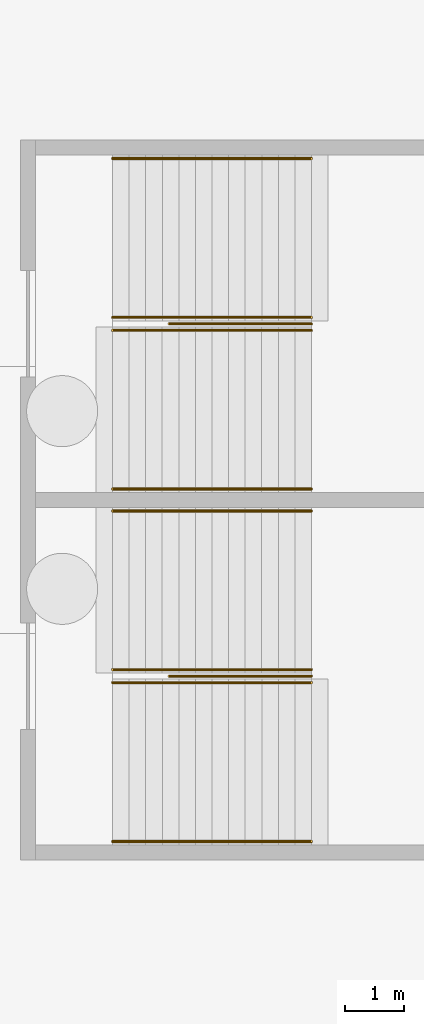
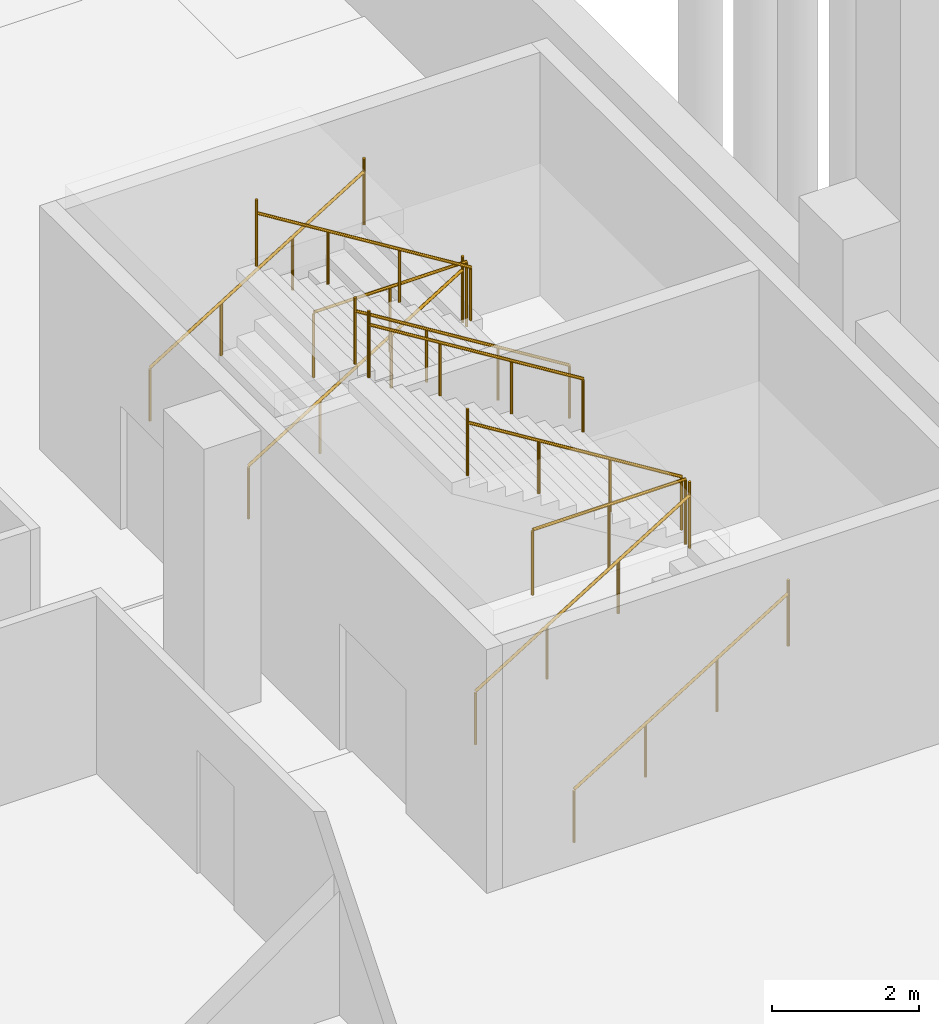
# One storey, part 114 of 115: 10 railings.
"""IFC4 building model written with IfcOpenShell, lengths in metres."""

from ifc_helpers import new_model, si_unit, direction, frame, origin, origin_2d, place, context, subcontext, project, spatial, circle, extrude, material, type_object, element, save


model = new_model("IFC4")

# Units and contexts
model_context = context("Model", 3, precision=1e-05, world=origin(), true_north=direction((0.0, 1.0)))
body_context = subcontext(model_context, "Body", "Model", "MODEL_VIEW")
ifc_project = project(units=[si_unit("LENGTHUNIT", "METRE"), si_unit("AREAUNIT", "SQUARE_METRE"), si_unit("VOLUMEUNIT", "CUBIC_METRE"), si_unit("PLANEANGLEUNIT", "RADIAN"), si_unit("MASSUNIT", "GRAM", prefix="KILO")], contexts=[model_context])

# Site, building, storey
site_placement = place(None, origin())
site = spatial("IfcSite", under=ifc_project, at=site_placement, CompositionType="ELEMENT")
building_placement = place(site_placement, origin())
building = spatial("IfcBuilding", under=site, at=building_placement, Name="Ogive Plaza Stadium", CompositionType="ELEMENT")
storey_placement = place(building_placement, frame((0.0, 0.0, -4.5)))
storey = spatial("IfcBuildingStorey", under=building, at=storey_placement, Name="B1", CompositionType="ELEMENT", Elevation=-4.5)

# Railings
ifc_material_1 = material(Name="Steel ASTM A572 Grade 50", Category="steel")
railing_type_1 = type_object("IfcRailingType", Name="Guard 1100", PredefinedType="GUARDRAIL", material=ifc_material_1)
for number, where, name in (
    (1, (77.31005859375, 34.52490234375, 2.25), "Stair well guard ST02A B1"),
    (2, (77.31005859375, 40.47509765625, 2.25), "Stair well guard ST02B B1"),
):
    element("IfcRailing", number, at=place(storey_placement, frame(where)), inside=storey, type_object=railing_type_1, Name=name, PredefinedType="GUARDRAIL", context=body_context, shape_type="SweptSolid", body=[
        extrude(circle(Radius=0.02392578125, at=origin_2d()), frame((0.0, 0.0, 1.076171875), z_axis=(1.0, 0.0, 0.0), x_axis=(0.0, 1.0, 0.0)), (0.0, 0.0, 1.0), 2.39990234375),
        extrude(circle(Radius=0.02099609375, at=origin_2d()), origin(), (0.0, 0.0, 1.0), 1.052001953125),
        extrude(circle(Radius=0.02099609375, at=origin_2d()), frame((1.199951171875, 0.0, 0.0)), (0.0, 0.0, 1.0), 1.052001953125),
        extrude(circle(Radius=0.02099609375, at=origin_2d()), frame((2.39990234375, 0.0, 0.0)), (0.0, 0.0, 1.0), 1.052001953125),
    ])
ifc_material_2 = material(Name="Steel ASTM A572 Grade 50", Category="steel")
railing_type_2 = type_object("IfcRailingType", Name="Handrail 900", PredefinedType="HANDRAIL", material=ifc_material_2)
for number, where, name in (
    (3, (76.35009765625, 31.735107421875, 0.173095703125), "Handrail ST02A B1"),
    (4, (76.35009765625, 34.4150390625, 0.173095703125), "Handrail ST02A B1"),
):
    element("IfcRailing", number, at=place(storey_placement, frame(where)), inside=storey, type_object=railing_type_2, Name=name, PredefinedType="HANDRAIL", context=body_context, shape_type="SweptSolid", body=[
        extrude(circle(Radius=0.02392578125, at=origin_2d()), frame((0.0, 0.0, 0.8759765625), z_axis=(0.850606129759, 0.0, 0.525803396734), x_axis=(0.0, 1.0, 0.0)), (0.0, 0.0, 1.0), 3.949951171875),
        extrude(circle(Radius=0.02099609375, at=origin_2d()), origin(), (0.0, 0.0, 1.0), 0.851806640625),
        extrude(circle(Radius=0.02099609375, at=origin_2d()), frame((1.119873046875, 0.0, 0.6923828125)), (0.0, 0.0, 1.0), 0.851806640625),
        extrude(circle(Radius=0.02099609375, at=origin_2d()), frame((2.239990234375, 0.0, 1.384521484375)), (0.0, 0.0, 1.0), 0.851806640625),
        extrude(circle(Radius=0.02099609375, at=origin_2d()), frame((3.35986328125, 0.0, 2.076904296875)), (0.0, 0.0, 1.0), 1.10009765625),
    ])
for number, where, name in (
    (5, (79.7099609375, 34.635009765625, 2.423095703125), "Handrail ST02A B1"),
    (6, (79.7099609375, 37.31494140625, 2.423095703125), "Handrail ST02A B1"),
):
    element("IfcRailing", number, at=place(storey_placement, frame(where)), inside=storey, type_object=railing_type_2, Name=name, PredefinedType="HANDRAIL", context=body_context, shape_type="SweptSolid", body=[
        extrude(circle(Radius=0.02392578125, at=origin_2d()), frame((0.0, 0.0, 0.8759765625), z_axis=(-0.850606129759, 0.0, 0.525803396734), x_axis=(0.0, -1.0, 0.0)), (0.0, 0.0, 1.0), 3.949951171875),
        extrude(circle(Radius=0.02099609375, at=origin_2d()), origin(), (0.0, 0.0, 1.0), 0.851806640625),
        extrude(circle(Radius=0.02099609375, at=origin_2d()), frame((-1.119873046875, 0.0, 0.6923828125)), (0.0, 0.0, 1.0), 0.851806640625),
        extrude(circle(Radius=0.02099609375, at=origin_2d()), frame((-2.239990234375, 0.0, 1.384521484375)), (0.0, 0.0, 1.0), 0.851806640625),
        extrude(circle(Radius=0.02099609375, at=origin_2d()), frame((-3.35986328125, 0.0, 2.076904296875)), (0.0, 0.0, 1.0), 1.10009765625),
    ])
for number, where, name in (
    (7, (76.35009765625, 40.5849609375, 0.173095703125), "Handrail ST02B B1"),
    (8, (76.35009765625, 43.264892578125, 0.173095703125), "Handrail ST02B B1"),
):
    element("IfcRailing", number, at=place(storey_placement, frame(where)), inside=storey, type_object=railing_type_2, Name=name, PredefinedType="HANDRAIL", context=body_context, shape_type="SweptSolid", body=[
        extrude(circle(Radius=0.02392578125, at=origin_2d()), frame((0.0, 0.0, 0.8759765625), z_axis=(0.850606129759, 0.0, 0.525803396734), x_axis=(0.0, 1.0, 0.0)), (0.0, 0.0, 1.0), 3.949951171875),
        extrude(circle(Radius=0.02099609375, at=origin_2d()), origin(), (0.0, 0.0, 1.0), 0.851806640625),
        extrude(circle(Radius=0.02099609375, at=origin_2d()), frame((1.119873046875, 0.0, 0.6923828125)), (0.0, 0.0, 1.0), 0.851806640625),
        extrude(circle(Radius=0.02099609375, at=origin_2d()), frame((2.239990234375, 0.0, 1.384521484375)), (0.0, 0.0, 1.0), 0.851806640625),
        extrude(circle(Radius=0.02099609375, at=origin_2d()), frame((3.35986328125, 0.0, 2.076904296875)), (0.0, 0.0, 1.0), 1.10009765625),
    ])
for number, where, name in (
    (9, (79.7099609375, 37.68505859375, 2.423095703125), "Handrail ST02B B1"),
    (10, (79.7099609375, 40.364990234375, 2.423095703125), "Handrail ST02B B1"),
):
    element("IfcRailing", number, at=place(storey_placement, frame(where)), inside=storey, type_object=railing_type_2, Name=name, PredefinedType="HANDRAIL", context=body_context, shape_type="SweptSolid", body=[
        extrude(circle(Radius=0.02392578125, at=origin_2d()), frame((0.0, 0.0, 0.8759765625), z_axis=(-0.850606129759, 0.0, 0.525803396734), x_axis=(0.0, -1.0, 0.0)), (0.0, 0.0, 1.0), 3.949951171875),
        extrude(circle(Radius=0.02099609375, at=origin_2d()), origin(), (0.0, 0.0, 1.0), 0.851806640625),
        extrude(circle(Radius=0.02099609375, at=origin_2d()), frame((-1.119873046875, 0.0, 0.6923828125)), (0.0, 0.0, 1.0), 0.851806640625),
        extrude(circle(Radius=0.02099609375, at=origin_2d()), frame((-2.239990234375, 0.0, 1.384521484375)), (0.0, 0.0, 1.0), 0.851806640625),
        extrude(circle(Radius=0.02099609375, at=origin_2d()), frame((-3.35986328125, 0.0, 2.076904296875)), (0.0, 0.0, 1.0), 1.10009765625),
    ])

save(model, "model.ifc")
